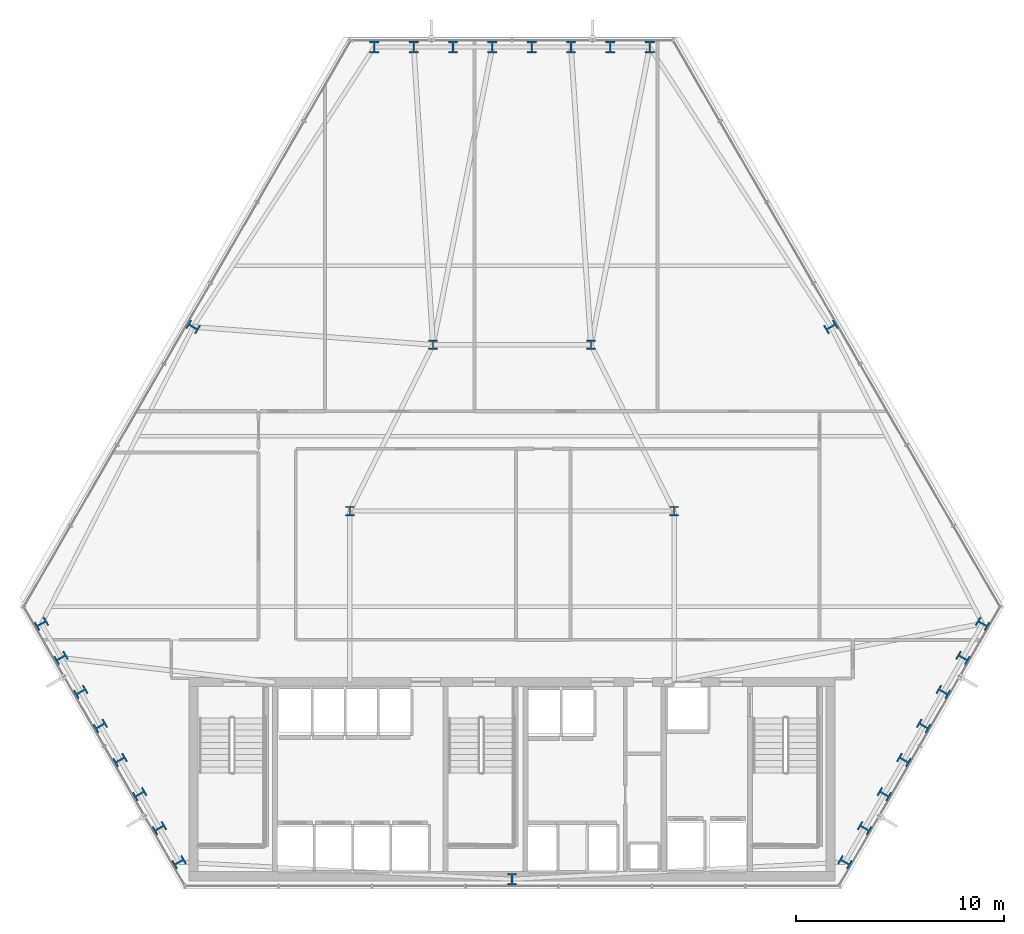
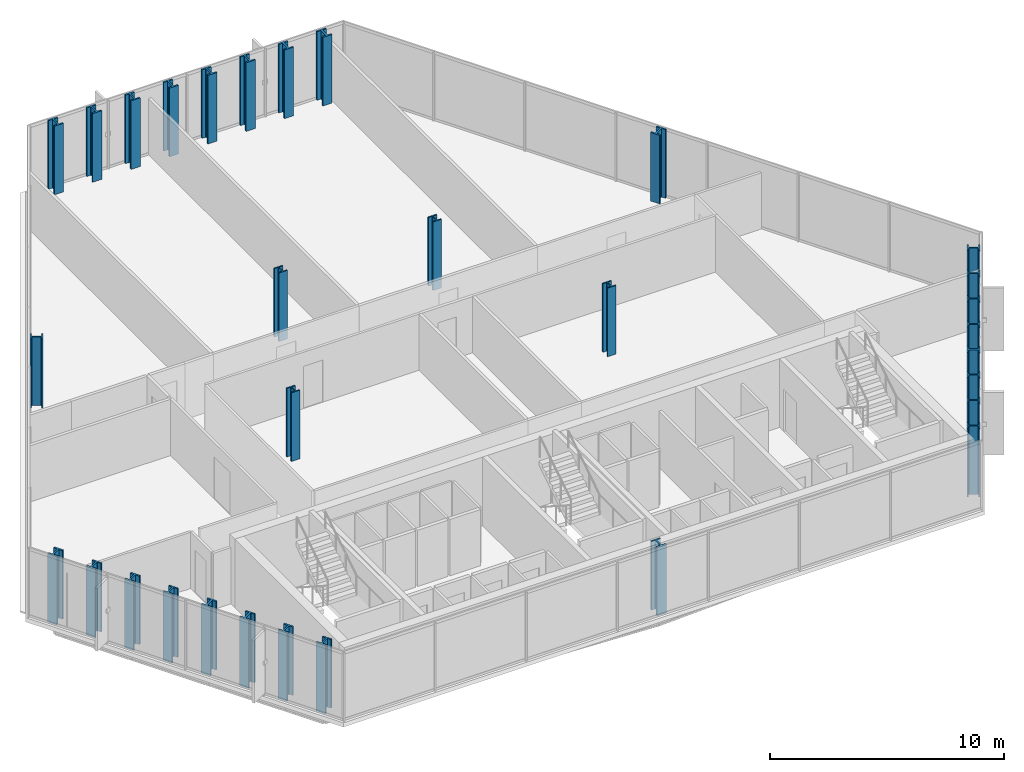
# One storey, part 1 of 32: 31 columns.
"""IFC4 building model written with IfcOpenShell, lengths in metres."""

from ifc_helpers import new_model, si_unit, direction, frame, origin, origin_2d, place, context, subcontext, project, spatial, i_section, extrude, material, material_profile, profile_set, type_object, element, save


model = new_model("IFC4")

# Units and contexts
model_context = context("Model", 3, precision=1e-05, world=origin(), true_north=direction((0.0, 1.0)))
body_context = subcontext(model_context, "Body", "Model", "MODEL_VIEW")
ifc_project = project(units=[si_unit("LENGTHUNIT", "METRE"), si_unit("AREAUNIT", "SQUARE_METRE"), si_unit("VOLUMEUNIT", "CUBIC_METRE"), si_unit("PLANEANGLEUNIT", "RADIAN"), si_unit("MASSUNIT", "GRAM", prefix="KILO")], contexts=[model_context])

# Site, building, storey
site_placement = place(None, origin())
site = spatial("IfcSite", under=ifc_project, at=site_placement, CompositionType="ELEMENT")
building_placement = place(site_placement, origin())
building = spatial("IfcBuilding", under=site, at=building_placement, Name="Ndaravel Arena Tower", CompositionType="ELEMENT")
storey_placement = place(building_placement, frame((0.0, 0.0, 58.800048828125)))
storey = spatial("IfcBuildingStorey", under=building, at=storey_placement, Name="L12", CompositionType="ELEMENT", Elevation=58.800048828125)

# Columns
ifc_material_1 = material(Name="Steel S460", Category="steel")
ifc_material_profile_1 = material_profile(ifc_material_1, i_section(OverallWidth=0.41845703125, OverallDepth=0.45556640625, WebThickness=0.0419921875, FlangeThickness=0.0673828125, FilletRadius=0.01513671875, at=origin_2d()), Name="UC 356x406x551")
ifc_profile_set_1 = profile_set([ifc_material_profile_1], Name="Steel S460")
column_type_1 = type_object("IfcColumnType", Name="COL-INT-UC551", PredefinedType="COLUMN", material=ifc_profile_set_1)
for number, where, z_axis, x_axis, name in (
    (1, (34.199951171875, 23.199951171875, 0.0), (0.0, 0.0, 1.0), (1.0, 0.0, 0.0), "L12 Interior Spine Column IC-01"),
    (2, (49.800048828125, 23.199951171875, 0.0), (0.0, 0.0, 1.0), (1.0, 0.0, 0.0), "L12 Interior Spine Column IC-02"),
    (3, (38.199951171875, 31.199951171875, 0.0), (0.0, 0.0, 1.0), (1.0, 0.0, 0.0), "L12 Interior Spine Column IC-03"),
    (4, (45.800048828125, 31.199951171875, 0.0), (0.0, 0.0, 1.0), (1.0, 0.0, 0.0), "L12 Interior Spine Column IC-04"),
):
    element("IfcColumn", number, at=place(storey_placement, frame(where, z_axis=z_axis, x_axis=x_axis)), inside=storey, type_object=column_type_1, Name=name, PredefinedType="COLUMN", context=body_context, shape_type="SweptSolid", body=[
        extrude(i_section(OverallWidth=0.41845703125, OverallDepth=0.45556640625, WebThickness=0.0419921875, FlangeThickness=0.0673828125, FilletRadius=0.01513671875, at=origin_2d()), origin(), (0.0, 0.0, 1.0), 3.579833984375),
    ])
ifc_material_2 = material(Name="Steel S460", Category="steel")
ifc_material_profile_2 = material_profile(ifc_material_2, i_section(OverallWidth=0.4541015625, OverallDepth=0.569091796875, WebThickness=0.077880859375, FlangeThickness=0.080078125, FilletRadius=0.014892578125, at=origin_2d()), Name="HD 400x1086")
ifc_profile_set_2 = profile_set([ifc_material_profile_2], Name="Steel S460")
column_type_2 = type_object("IfcColumnType", Name="COL-TUBE-HD1086", PredefinedType="COLUMN", material=ifc_profile_set_2)
for number, where, z_axis, x_axis, name in (
    (5, (42.0, 5.47998046875, 0.0), (0.0, 0.0, 1.0), (1.0, 0.0, 0.0), "L12 Framed Tube Column TC-01"),
    (6, (58.0234375, 6.299560546875, 0.0), (0.0, 0.0, 1.0), (0.5, 0.866025403784, 0.0), "L12 Framed Tube Column TC-02"),
    (7, (58.969970703125, 7.93896484375, 0.0), (0.0, 0.0, 1.0), (0.5, 0.866025403784, 0.0), "L12 Framed Tube Column TC-03"),
    (8, (59.916259765625, 9.578125, 0.0), (0.0, 0.0, 1.0), (0.5, 0.866025403784, 0.0), "L12 Framed Tube Column TC-04"),
    (9, (60.86279296875, 11.21728515625, 0.0), (0.0, 0.0, 1.0), (0.5, 0.866025403784, 0.0), "L12 Framed Tube Column TC-05"),
    (10, (61.80908203125, 12.856689453125, 0.0), (0.0, 0.0, 1.0), (0.5, 0.866025403784, 0.0), "L12 Framed Tube Column TC-06"),
    (11, (62.755615234375, 14.495849609375, 0.0), (0.0, 0.0, 1.0), (0.5, 0.866025403784, 0.0), "L12 Framed Tube Column TC-07"),
    (12, (63.701904296875, 16.135009765625, 0.0), (0.0, 0.0, 1.0), (0.5, 0.866025403784, 0.0), "L12 Framed Tube Column TC-08"),
    (13, (64.6484375, 17.7744140625, 0.0), (0.0, 0.0, 1.0), (0.5, 0.866025403784, 0.0), "L12 Framed Tube Column TC-09"),
    (14, (57.346435546875, 32.060791015625, 0.0), (0.0, 0.0, 1.0), (-0.5, 0.866025403784, 0.0), "L12 Framed Tube Column TC-10"),
    (15, (48.625, 45.52783203125, 0.0), (0.0, 0.0, 1.0), (1.0, 0.0, 0.0), "L12 Framed Tube Column TC-11"),
    (16, (46.732177734375, 45.52783203125, 0.0), (0.0, 0.0, 1.0), (1.0, 0.0, 0.0), "L12 Framed Tube Column TC-12"),
    (17, (44.83935546875, 45.52783203125, 0.0), (0.0, 0.0, 1.0), (1.0, 0.0, 0.0), "L12 Framed Tube Column TC-13"),
    (18, (42.9462890625, 45.52783203125, 0.0), (0.0, 0.0, 1.0), (1.0, 0.0, 0.0), "L12 Framed Tube Column TC-14"),
    (19, (41.0537109375, 45.52783203125, 0.0), (0.0, 0.0, 1.0), (1.0, 0.0, 0.0), "L12 Framed Tube Column TC-15"),
    (20, (39.16064453125, 45.52783203125, 0.0), (0.0, 0.0, 1.0), (1.0, 0.0, 0.0), "L12 Framed Tube Column TC-16"),
    (21, (37.267822265625, 45.52783203125, 0.0), (0.0, 0.0, 1.0), (1.0, 0.0, 0.0), "L12 Framed Tube Column TC-17"),
    (22, (35.375, 45.52783203125, 0.0), (0.0, 0.0, 1.0), (1.0, 0.0, 0.0), "L12 Framed Tube Column TC-18"),
    (23, (26.653564453125, 32.060791015625, 0.0), (0.0, 0.0, 1.0), (0.5, 0.866025403784, 0.0), "L12 Framed Tube Column TC-19"),
    (24, (19.3515625, 17.7744140625, 0.0), (0.0, 0.0, 1.0), (-0.5, 0.866025403784, 0.0), "L12 Framed Tube Column TC-20"),
    (25, (20.298095703125, 16.135009765625, 0.0), (0.0, 0.0, 1.0), (-0.5, 0.866025403784, 0.0), "L12 Framed Tube Column TC-21"),
    (26, (21.244384765625, 14.495849609375, 0.0), (0.0, 0.0, 1.0), (-0.5, 0.866025403784, 0.0), "L12 Framed Tube Column TC-22"),
    (27, (22.19091796875, 12.856689453125, 0.0), (0.0, 0.0, 1.0), (-0.5, 0.866025403784, 0.0), "L12 Framed Tube Column TC-23"),
    (28, (23.13720703125, 11.21728515625, 0.0), (0.0, 0.0, 1.0), (-0.5, 0.866025403784, 0.0), "L12 Framed Tube Column TC-24"),
    (29, (24.083740234375, 9.578125, 0.0), (0.0, 0.0, 1.0), (-0.5, 0.866025403784, 0.0), "L12 Framed Tube Column TC-25"),
    (30, (25.030029296875, 7.93896484375, 0.0), (0.0, 0.0, 1.0), (-0.5, 0.866025403784, 0.0), "L12 Framed Tube Column TC-26"),
    (31, (25.9765625, 6.299560546875, 0.0), (0.0, 0.0, 1.0), (-0.5, 0.866025403784, 0.0), "L12 Framed Tube Column TC-27"),
):
    element("IfcColumn", number, at=place(storey_placement, frame(where, z_axis=z_axis, x_axis=x_axis)), inside=storey, type_object=column_type_2, Name=name, PredefinedType="COLUMN", context=body_context, shape_type="SweptSolid", body=[
        extrude(i_section(OverallWidth=0.4541015625, OverallDepth=0.569091796875, WebThickness=0.077880859375, FlangeThickness=0.080078125, FilletRadius=0.014892578125, at=origin_2d()), origin(), (0.0, 0.0, 1.0), 3.579833984375),
    ])

save(model, "model.ifc")
